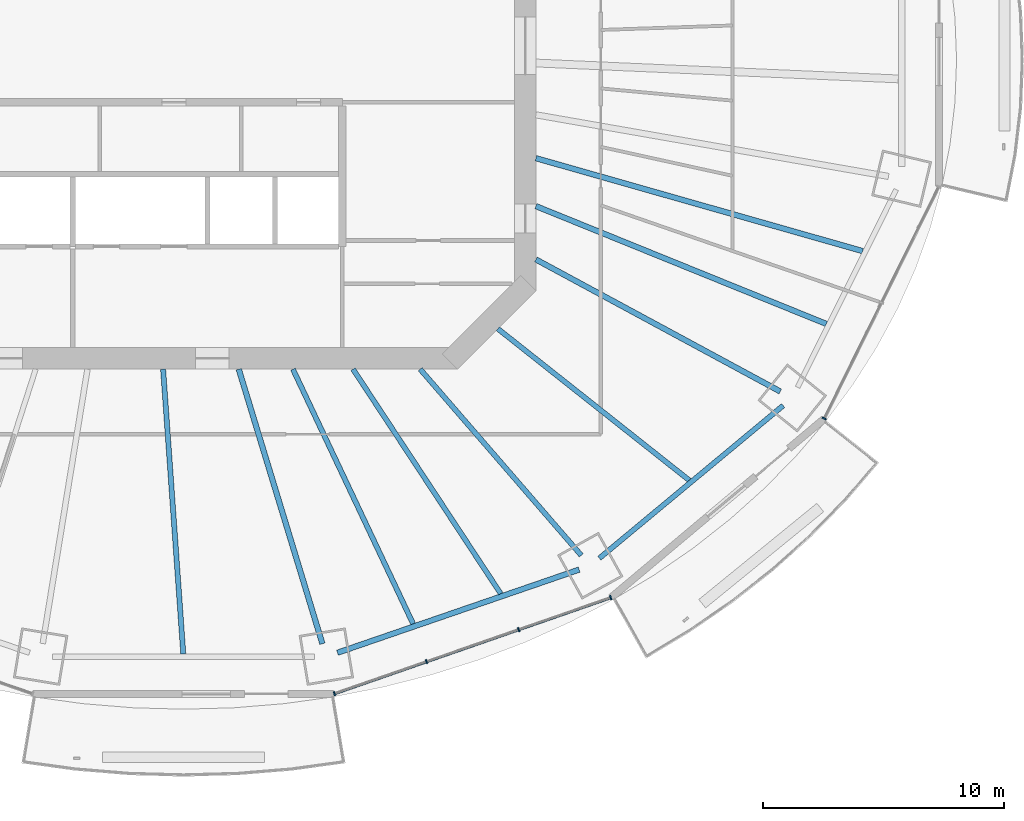
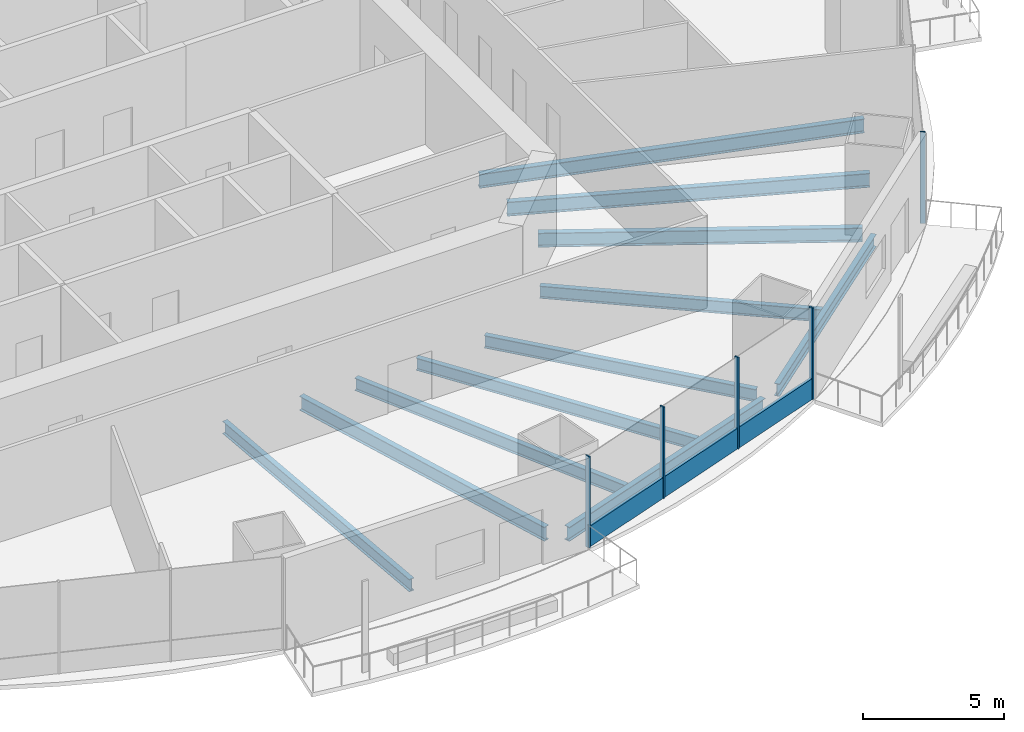
# One storey, part 4 of 20: 11 beams, 6 members, 2 elements without a shape of their own.
"""IFC4 building model written with IfcOpenShell, lengths in metres."""

from ifc_helpers import new_model, si_unit, direction, frame, origin, origin_2d, place, context, subcontext, project, spatial, rectangle, i_section, extrude, material, material_profile, profile_set, type_object, element, aggregate, save


model = new_model("IFC4")

# Units and contexts
model_context = context("Model", 3, precision=1e-05, world=origin(), true_north=direction((0.0, 1.0)))
body_context = subcontext(model_context, "Body", "Model", "MODEL_VIEW")
ifc_project = project(units=[si_unit("LENGTHUNIT", "METRE"), si_unit("AREAUNIT", "SQUARE_METRE"), si_unit("VOLUMEUNIT", "CUBIC_METRE"), si_unit("PLANEANGLEUNIT", "RADIAN"), si_unit("MASSUNIT", "GRAM", prefix="KILO")], contexts=[model_context])

# Site, building, storey
site_placement = place(None, origin())
site = spatial("IfcSite", under=ifc_project, at=site_placement, CompositionType="ELEMENT")
building_placement = place(site_placement, origin())
building = spatial("IfcBuilding", under=site, at=building_placement, Name="Marenthal Gate Tower", CompositionType="ELEMENT")
storey_placement = place(building_placement, frame((0.0, 0.0, 185.949951171875)))
storey = spatial("IfcBuildingStorey", under=building, at=storey_placement, Name="L40", CompositionType="ELEMENT", Elevation=185.949951171875)

# Curtain wall, members
ifc_material_1 = material(Name="Aluminium and glass", Category="aluminium")
curtain_wall_type = type_object("IfcCurtainWallType", Name="Curtain wall typical mid", PredefinedType="NOTDEFINED", material=ifc_material_1)
curtain_wall_1_placement = place(storey_placement, origin())
curtain_wall_1 = element("IfcCurtainWall", 1, at=curtain_wall_1_placement, inside=storey, type_object=curtain_wall_type, Name="Curtain wall L40 bay 13", PredefinedType="NOTDEFINED")
ifc_material_2 = material(Name="Aluminium", Category="aluminium")
ifc_material_profile_1 = material_profile(ifc_material_2, rectangle(XDim=0.179931640625, YDim=0.06005859375, at=origin_2d()), Name="60x180 aluminium mullion")
ifc_profile_set_1 = profile_set([ifc_material_profile_1], Name="Aluminium")
member_type_1 = type_object("IfcMemberType", Name="Mullion 60x180 typical mid", PredefinedType="MULLION", material=ifc_profile_set_1)
member_1_placement = place(storey_placement, frame((8.07421875, -26.93505859375, 0.0), z_axis=(0.0, 0.0, 1.0), x_axis=(-0.328273001535, 0.944582890203, 0.0)))
member_1 = element("IfcMember", 2, at=member_1_placement, type_object=member_type_1, Name="Mullion L40 bay 13.1", PredefinedType="MULLION", context=body_context, shape_type="SweptSolid", body=[
    extrude(rectangle(XDim=0.179931640625, YDim=0.06005859375, at=origin_2d()), origin(), (0.0, 0.0, 1.0), 3.969970703125),
])
member_2_placement = place(storey_placement, frame((11.902099609375, -25.604736328125, 0.0), z_axis=(0.0, 0.0, 1.0), x_axis=(-0.328273001535, 0.944582890203, 0.0)))
member_2 = element("IfcMember", 3, at=member_2_placement, type_object=member_type_1, Name="Mullion L40 bay 13.2", PredefinedType="MULLION", context=body_context, shape_type="SweptSolid", body=[
    extrude(rectangle(XDim=0.179931640625, YDim=0.06005859375, at=origin_2d()), origin(), (0.0, 0.0, 1.0), 3.969970703125),
])
member_3_placement = place(storey_placement, frame((15.730224609375, -24.2744140625, 0.0), z_axis=(0.0, 0.0, 1.0), x_axis=(-0.328273001535, 0.944582890203, 0.0)))
member_3 = element("IfcMember", 4, at=member_3_placement, type_object=member_type_1, Name="Mullion L40 bay 13.3", PredefinedType="MULLION", context=body_context, shape_type="SweptSolid", body=[
    extrude(rectangle(XDim=0.179931640625, YDim=0.06005859375, at=origin_2d()), origin(), (0.0, 0.0, 1.0), 3.969970703125),
])
member_4_placement = place(storey_placement, frame((19.558349609375, -22.94384765625, 0.0), z_axis=(0.0, 0.0, 1.0), x_axis=(-0.328273001535, 0.944582890203, 0.0)))
member_4 = element("IfcMember", 5, at=member_4_placement, type_object=member_type_1, Name="Mullion L40 bay 13.4", PredefinedType="MULLION", context=body_context, shape_type="SweptSolid", body=[
    extrude(rectangle(XDim=0.179931640625, YDim=0.06005859375, at=origin_2d()), origin(), (0.0, 0.0, 1.0), 3.969970703125),
])

# Curtain wall, member
curtain_wall_2_placement = place(storey_placement, origin())
curtain_wall_2 = element("IfcCurtainWall", 6, at=curtain_wall_2_placement, inside=storey, type_object=curtain_wall_type, Name="Curtain wall L40 bay 15", PredefinedType="NOTDEFINED")
member_5_placement = place(storey_placement, frame((28.432861328125, -15.496337890625, 0.0), z_axis=(0.0, 0.0, 1.0), x_axis=(-0.896680826174, 0.442677643406, 0.0)))
member_5 = element("IfcMember", 7, at=member_5_placement, type_object=member_type_1, Name="Mullion L40 bay 15.1", PredefinedType="MULLION", context=body_context, shape_type="SweptSolid", body=[
    extrude(rectangle(XDim=0.179931640625, YDim=0.06005859375, at=origin_2d()), origin(), (0.0, 0.0, 1.0), 3.969970703125),
])
aggregate(curtain_wall_2, [member_5])

# Member
ifc_material_3 = material(Name="Aluminium", Category="aluminium")
ifc_material_profile_2 = material_profile(ifc_material_3, rectangle(XDim=0.1201171875, YDim=0.89990234375, at=origin_2d()), Name="120x900 aluminium transom")
ifc_profile_set_2 = profile_set([ifc_material_profile_2], Name="Aluminium")
member_type_2 = type_object("IfcMemberType", Name="Transom 120x900 typical mid", PredefinedType="USERDEFINED", material=ifc_profile_set_2)
member_6_placement = place(storey_placement, frame((8.1025390625, -26.92529296875, 0.449951171875), z_axis=(0.944582522585, 0.328274059326, 0.0), x_axis=(-0.328274059326, 0.944582522585, 0.0)))
member_6 = element("IfcMember", 8, at=member_6_placement, type_object=member_type_2, Name="Transom L40 bay 13", ObjectType="TRANSOM", PredefinedType="USERDEFINED", context=body_context, shape_type="SweptSolid", body=[
    extrude(rectangle(XDim=0.1201171875, YDim=0.89990234375, at=origin_2d()), origin(), (0.0, 0.0, 1.0), 12.097900390625),
])

aggregate(curtain_wall_1, [member_1, member_2, member_3, member_4, member_6])

# Beams
ifc_material_4 = material(Name="Steel S355", Category="steel")
ifc_material_profile_3 = material_profile(ifc_material_4, i_section(OverallWidth=0.2099609375, OverallDepth=0.535888671875, WebThickness=0.010986328125, FlangeThickness=0.017333984375, FilletRadius=0.0126953125, at=origin_2d()), Name="W530X101")
ifc_profile_set_3 = profile_set([ifc_material_profile_3], Name="Steel S355")
beam_type_1 = type_object("IfcBeamType", Name="W530X101 beam", PredefinedType="BEAM", material=ifc_profile_set_3)
beam_1_placement = place(storey_placement, frame((14.98681640625, -22.780029296875, -0.447998046875), z_axis=(-0.549614895489, 0.835418138812, 0.0), x_axis=(-0.835418138812, -0.549614895489, 0.0)))
element("IfcBeam", 9, at=beam_1_placement, inside=storey, type_object=beam_type_1, Name="BM-L40-36", PredefinedType="BEAM", context=body_context, shape_type="SweptSolid", body=[
    extrude(i_section(OverallWidth=0.2099609375, OverallDepth=0.535888671875, WebThickness=0.010986328125, FlangeThickness=0.017333984375, FilletRadius=0.0126953125, at=origin_2d()), origin(), (0.0, 0.0, 1.0), 11.168212890625),
])
beam_2_placement = place(storey_placement, frame((22.822265625, -18.065673828125, -0.447998046875), z_axis=(-0.78407022225, 0.620672124862, 0.0), x_axis=(-0.620672124862, -0.78407022225, 0.0)))
element("IfcBeam", 10, at=beam_2_placement, inside=storey, type_object=beam_type_1, Name="BM-L40-37", PredefinedType="BEAM", context=body_context, shape_type="SweptSolid", body=[
    extrude(i_section(OverallWidth=0.2099609375, OverallDepth=0.535888671875, WebThickness=0.010986328125, FlangeThickness=0.017333984375, FilletRadius=0.0126953125, at=origin_2d()), origin(), (0.0, 0.0, 1.0), 10.145263671875),
])
ifc_material_5 = material(Name="Steel S355", Category="steel")
ifc_material_profile_4 = material_profile(ifc_material_5, i_section(OverallWidth=0.2119140625, OverallDepth=0.5439453125, WebThickness=0.01318359375, FlangeThickness=0.021240234375, FilletRadius=0.0126953125, at=origin_2d()), Name="W530X123")
ifc_profile_set_4 = profile_set([ifc_material_profile_4], Name="Steel S355")
beam_type_2 = type_object("IfcBeamType", Name="W530X123 beam", PredefinedType="BEAM", material=ifc_profile_set_4)
beam_3_placement = place(storey_placement, frame((18.333984375, -21.187255859375, -0.451904296875), z_axis=(-0.654352606016, 0.756189570809, 0.0), x_axis=(-0.756189570809, -0.654352606016, 0.0)))
element("IfcBeam", 11, at=beam_3_placement, inside=storey, type_object=beam_type_2, Name="BM-L40-14", PredefinedType="BEAM", context=body_context, shape_type="SweptSolid", body=[
    extrude(i_section(OverallWidth=0.2119140625, OverallDepth=0.5439453125, WebThickness=0.01318359375, FlangeThickness=0.021240234375, FilletRadius=0.0126953125, at=origin_2d()), origin(), (0.0, 0.0, 1.0), 10.23193359375),
])
beam_4_placement = place(storey_placement, frame((1.7919921875, -25.28076171875, -0.451904296875), z_axis=(-0.070707248885, 0.997497110249, 0.0), x_axis=(-0.997497110249, -0.070707248885, 0.0)))
element("IfcBeam", 12, at=beam_4_placement, inside=storey, type_object=beam_type_2, Name="BM-L40-34", PredefinedType="BEAM", context=body_context, shape_type="SweptSolid", body=[
    extrude(i_section(OverallWidth=0.2119140625, OverallDepth=0.5439453125, WebThickness=0.01318359375, FlangeThickness=0.021240234375, FilletRadius=0.0126953125, at=origin_2d()), origin(), (0.0, 0.0, 1.0), 11.860595703125),
])
beam_5_placement = place(storey_placement, frame((11.345458984375, -24.03271484375, -0.451904296875), z_axis=(-0.42689684646, 0.904300327592, 0.0), x_axis=(-0.904300327592, -0.42689684646, 0.0)))
element("IfcBeam", 13, at=beam_5_placement, inside=storey, type_object=beam_type_2, Name="BM-L40-35", PredefinedType="BEAM", context=body_context, shape_type="SweptSolid", body=[
    extrude(i_section(OverallWidth=0.2119140625, OverallDepth=0.5439453125, WebThickness=0.01318359375, FlangeThickness=0.021240234375, FilletRadius=0.0126953125, at=origin_2d()), origin(), (0.0, 0.0, 1.0), 11.70263671875),
])
beam_6_placement = place(storey_placement, frame((19.08740234375, -21.305908203125, -0.451904296875), z_axis=(0.769236112246, 0.638964634089, 0.0), x_axis=(-0.638964634089, 0.769236112246, 0.0)))
element("IfcBeam", 14, at=beam_6_placement, inside=storey, type_object=beam_type_2, Name="BM-L40-54", PredefinedType="BEAM", context=body_context, shape_type="SweptSolid", body=[
    extrude(i_section(OverallWidth=0.2119140625, OverallDepth=0.5439453125, WebThickness=0.01318359375, FlangeThickness=0.021240234375, FilletRadius=0.0126953125, at=origin_2d()), origin(), (0.0, 0.0, 1.0), 9.928955078125),
])
ifc_material_6 = material(Name="Steel S355", Category="steel")
ifc_material_profile_5 = material_profile(ifc_material_6, i_section(OverallWidth=0.22900390625, OverallDepth=0.612060546875, WebThickness=0.011962890625, FlangeThickness=0.01953125, FilletRadius=0.0126953125, at=origin_2d()), Name="W610X125")
ifc_profile_set_5 = profile_set([ifc_material_profile_5], Name="Steel S355")
beam_type_3 = type_object("IfcBeamType", Name="W610X125 beam", PredefinedType="BEAM", material=ifc_profile_set_5)
beam_7_placement = place(storey_placement, frame((7.57470703125, -24.8603515625, -0.48583984375), z_axis=(-0.291474345726, 0.956578645896, 0.0), x_axis=(-0.956578645896, -0.291474345726, 0.0)))
element("IfcBeam", 15, at=beam_7_placement, inside=storey, type_object=beam_type_3, Name="BM-L40-13", PredefinedType="BEAM", context=body_context, shape_type="SweptSolid", body=[
    extrude(i_section(OverallWidth=0.22900390625, OverallDepth=0.612060546875, WebThickness=0.011962890625, FlangeThickness=0.01953125, FilletRadius=0.0126953125, at=origin_2d()), origin(), (0.0, 0.0, 1.0), 11.928466796875),
])
beam_8_placement = place(storey_placement, frame((26.6064453125, -14.37548828125, -0.48583984375), z_axis=(-0.879795204452, 0.475352919653, 0.0), x_axis=(-0.475352919653, -0.879795204452, 0.0)))
element("IfcBeam", 16, at=beam_8_placement, inside=storey, type_object=beam_type_3, Name="BM-L40-15", PredefinedType="BEAM", context=body_context, shape_type="SweptSolid", body=[
    extrude(i_section(OverallWidth=0.22900390625, OverallDepth=0.612060546875, WebThickness=0.011962890625, FlangeThickness=0.01953125, FilletRadius=0.0126953125, at=origin_2d()), origin(), (0.0, 0.0, 1.0), 11.544189453125),
])
beam_9_placement = place(storey_placement, frame((28.522216796875, -11.567626953125, -0.48583984375), z_axis=(-0.926690233528, 0.375826038326, 0.0), x_axis=(-0.375826038326, -0.926690233528, 0.0)))
element("IfcBeam", 17, at=beam_9_placement, inside=storey, type_object=beam_type_3, Name="BM-L40-38", PredefinedType="BEAM", context=body_context, shape_type="SweptSolid", body=[
    extrude(i_section(OverallWidth=0.22900390625, OverallDepth=0.612060546875, WebThickness=0.011962890625, FlangeThickness=0.01953125, FilletRadius=0.0126953125, at=origin_2d()), origin(), (0.0, 0.0, 1.0), 13.02734375),
])
beam_10_placement = place(storey_placement, frame((30.031494140625, -8.540283203125, -0.48583984375), z_axis=(-0.961862496817, 0.273533429798, 0.0), x_axis=(-0.273533429798, -0.961862496817, 0.0)))
element("IfcBeam", 18, at=beam_10_placement, inside=storey, type_object=beam_type_3, Name="BM-L40-39", PredefinedType="BEAM", context=body_context, shape_type="SweptSolid", body=[
    extrude(i_section(OverallWidth=0.22900390625, OverallDepth=0.612060546875, WebThickness=0.011962890625, FlangeThickness=0.01953125, FilletRadius=0.0126953125, at=origin_2d()), origin(), (0.0, 0.0, 1.0), 14.1201171875),
])
beam_11_placement = place(storey_placement, frame((8.199951171875, -25.236083984375, -0.48583984375), z_axis=(0.945594274162, 0.325348226785, 0.0), x_axis=(-0.325348226785, 0.945594274162, 0.0)))
element("IfcBeam", 19, at=beam_11_placement, inside=storey, type_object=beam_type_3, Name="BM-L40-53", PredefinedType="BEAM", context=body_context, shape_type="SweptSolid", body=[
    extrude(i_section(OverallWidth=0.22900390625, OverallDepth=0.612060546875, WebThickness=0.011962890625, FlangeThickness=0.01953125, FilletRadius=0.0126953125, at=origin_2d()), origin(), (0.0, 0.0, 1.0), 10.623291015625),
])

save(model, "model.ifc")
